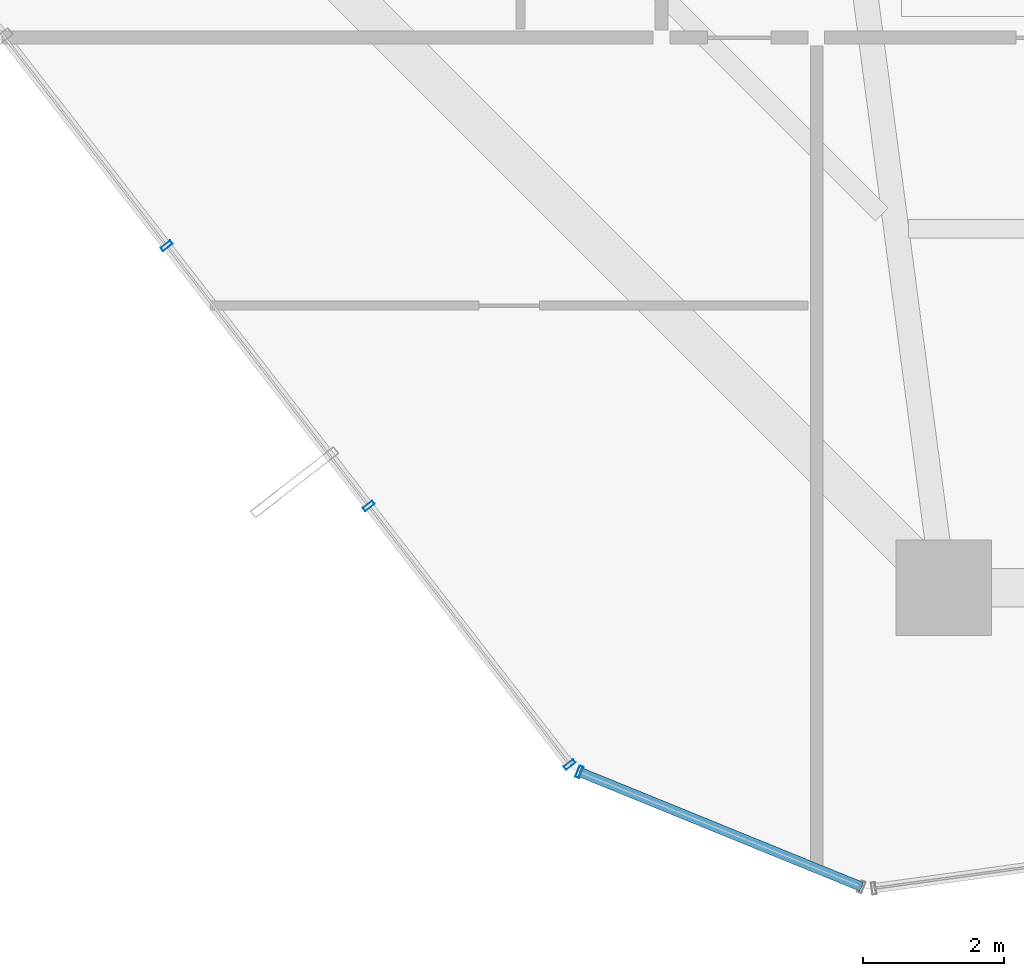
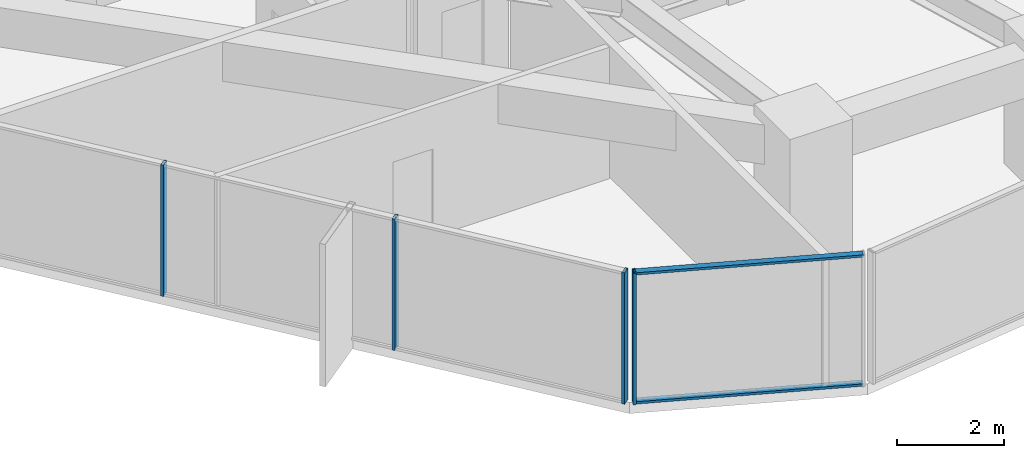
# One storey, part 2 of 37: 6 members, 2 elements without a shape of their own.
"""IFC4 building model written with IfcOpenShell, lengths in metres."""

from ifc_helpers import new_model, si_unit, direction, frame, origin, origin_2d, place, context, subcontext, project, spatial, hollow_rectangle, extrude, source, transform, mapped, material, layer, layer_set, material_profile, profile_set, type_object, element, aggregate, save


model = new_model("IFC4")

# Units and contexts
model_context = context("Model", 3, precision=1e-05, world=origin(), true_north=direction((0.0, 1.0)))
body_context = subcontext(model_context, "Body", "Model", "MODEL_VIEW")
ifc_project = project(units=[si_unit("LENGTHUNIT", "METRE"), si_unit("AREAUNIT", "SQUARE_METRE"), si_unit("VOLUMEUNIT", "CUBIC_METRE"), si_unit("PLANEANGLEUNIT", "RADIAN"), si_unit("MASSUNIT", "GRAM", prefix="KILO")], contexts=[model_context])

# Site, building, storey
site_placement = place(None, origin())
site = spatial("IfcSite", under=ifc_project, at=site_placement, CompositionType="ELEMENT")
building_placement = place(site_placement, origin())
building = spatial("IfcBuilding", under=site, at=building_placement, Name="Veraguas Prism Commons", CompositionType="ELEMENT")
storey_placement = place(building_placement, frame((0.0, 0.0, 50.050048828125)))
storey = spatial("IfcBuildingStorey", under=building, at=storey_placement, Name="L13", CompositionType="ELEMENT", Elevation=50.050048828125)

# Curtain wall, members
ifc_material = material(Name="Anodised aluminium EN AW-6063 T6", Category="aluminium")
ifc_layer = layer(ifc_material, 0.169921875, Name="Unitised Flush Curtain Wall Zone 1", Category="aluminium")
ifc_layer_set = layer_set([ifc_layer], Name="Anodised aluminium EN AW-6063 T6")
curtain_wall_type = type_object("IfcCurtainWallType", Name="Unitised Flush Curtain Wall Zone 1", PredefinedType="NOTDEFINED", material=ifc_layer_set)
curtain_wall_1_placement = place(storey_placement, origin())
curtain_wall_1 = element("IfcCurtainWall", 1, at=curtain_wall_1_placement, inside=storey, type_object=curtain_wall_type, Name="Tower Facade Curtain Wall L13-F4", PredefinedType="NOTDEFINED")
ifc_material_profile_1 = material_profile(ifc_material, hollow_rectangle(XDim=0.06005859375, YDim=0.169921875, WallThickness=0.00390625, at=origin_2d()), Name="AL60X170X4")
ifc_profile_set_1 = profile_set([ifc_material_profile_1], Name="Anodised aluminium EN AW-6063 T6")
member_type_1 = type_object("IfcMemberType", Name="Curtain Wall Mullion Lower AL 60x170x4", PredefinedType="MULLION", material=ifc_profile_set_1)
shared_shape_1 = source(origin(), body_context, "Body", "SweptSolid", [
    extrude(hollow_rectangle(XDim=0.06005859375, YDim=0.169921875, WallThickness=0.00390625, at=origin_2d()), origin(), (0.0, 0.0, 1.0), 3.0),
])
member_1_placement = place(storey_placement, frame((7.585693359375, 11.24951171875, 0.0), z_axis=(0.0, 0.0, 1.0), x_axis=(0.613461293172, -0.789724788632, 0.0)))
member_1 = element("IfcMember", 2, at=member_1_placement, type_object=member_type_1, Name="CW-Z1 Mullion 3", PredefinedType="MULLION", context=body_context, shape_type="MappedRepresentation", body=[
    mapped(shared_shape_1, transform((0.0, 0.0, 0.0), scale=1.0)),
])
member_2_placement = place(storey_placement, frame((10.451171875, 7.560791015625, 0.0), z_axis=(0.0, 0.0, 1.0), x_axis=(0.613461293172, -0.789724788632, 0.0)))
member_2 = element("IfcMember", 3, at=member_2_placement, type_object=member_type_1, Name="CW-Z1 Mullion 4", PredefinedType="MULLION", context=body_context, shape_type="MappedRepresentation", body=[
    mapped(shared_shape_1, transform((0.0, 0.0, 0.0), scale=1.0)),
])
member_3_placement = place(storey_placement, frame((13.29833984375, 3.895751953125, 0.0), z_axis=(0.0, 0.0, 1.0), x_axis=(0.613461293172, -0.789724788632, 0.0)))
member_3 = element("IfcMember", 4, at=member_3_placement, type_object=member_type_1, Name="CW-Z1 Mullion 5", PredefinedType="MULLION", context=body_context, shape_type="MappedRepresentation", body=[
    mapped(shared_shape_1, transform((0.0, 0.0, 0.0), scale=1.0)),
])
aggregate(curtain_wall_1, [member_1, member_2, member_3])

curtain_wall_2_placement = place(storey_placement, origin())
curtain_wall_2 = element("IfcCurtainWall", 5, at=curtain_wall_2_placement, inside=storey, type_object=curtain_wall_type, Name="Chamfer Curtain Wall L13-C5", PredefinedType="NOTDEFINED")
member_4_placement = place(storey_placement, frame((13.436767578125, 3.790771484375, 0.0), z_axis=(0.0, 0.0, 1.0), x_axis=(0.926124924918, -0.377216944801, 0.0)))
member_4 = element("IfcMember", 6, at=member_4_placement, type_object=member_type_1, Name="CW-Z1 Mullion 1", PredefinedType="MULLION", context=body_context, shape_type="MappedRepresentation", body=[
    mapped(shared_shape_1, transform((0.0, 0.0, 0.0), scale=1.0)),
])
ifc_material_profile_2 = material_profile(ifc_material, hollow_rectangle(XDim=0.054931640625, YDim=0.135009765625, WallThickness=0.0029296875, at=origin_2d()), Name="AL55X135X3")
ifc_profile_set_2 = profile_set([ifc_material_profile_2], Name="Anodised aluminium EN AW-6063 T6")
member_type_2 = type_object("IfcMemberType", Name="Curtain Wall Transom Standard AL 55x135x3", PredefinedType="USERDEFINED", material=ifc_profile_set_2)
shared_shape_2 = source(origin(), body_context, "Body", "SweptSolid", [
    extrude(hollow_rectangle(XDim=0.054931640625, YDim=0.135009765625, WallThickness=0.0029296875, at=origin_2d()), origin(), (0.0, 0.0, 1.0), 4.320068359375),
])
member_5_placement = place(storey_placement, frame((13.436767578125, 3.790771484375, 0.02734375), z_axis=(0.926123803993, -0.37721969683, 0.0), x_axis=(0.0, 0.0, 1.0)))
member_5 = element("IfcMember", 7, at=member_5_placement, type_object=member_type_2, Name="CW-Z1 Transom 1", ObjectType="TRANSOM", PredefinedType="USERDEFINED", context=body_context, shape_type="MappedRepresentation", body=[
    mapped(shared_shape_2, transform((0.0, 0.0, 0.0), scale=1.0)),
])
member_6_placement = place(storey_placement, frame((13.436767578125, 3.790771484375, 2.972412109375), z_axis=(0.926123803993, -0.37721969683, 0.0), x_axis=(0.0, 0.0, 1.0)))
member_6 = element("IfcMember", 8, at=member_6_placement, type_object=member_type_2, Name="CW-Z1 Transom 2", ObjectType="TRANSOM", PredefinedType="USERDEFINED", context=body_context, shape_type="MappedRepresentation", body=[
    mapped(shared_shape_2, transform((0.0, 0.0, 0.0), scale=1.0)),
])
aggregate(curtain_wall_2, [member_4, member_5, member_6])

save(model, "model.ifc")
